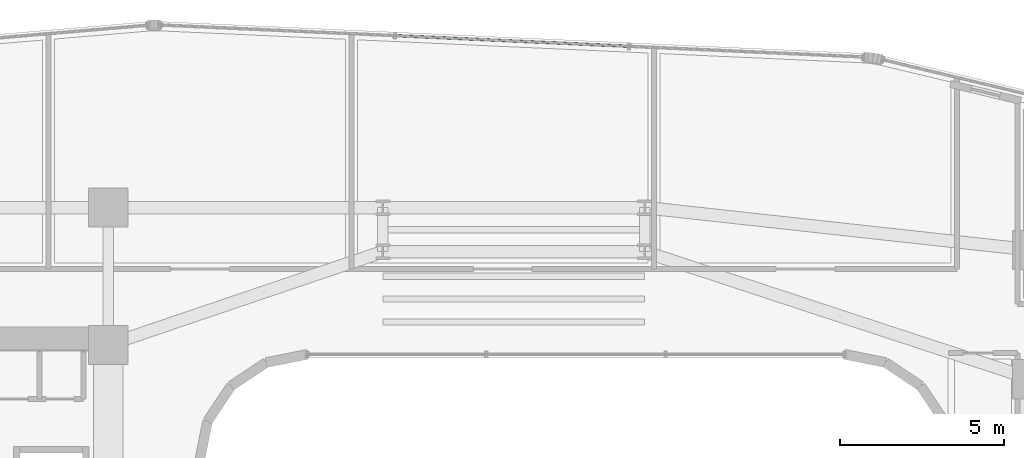
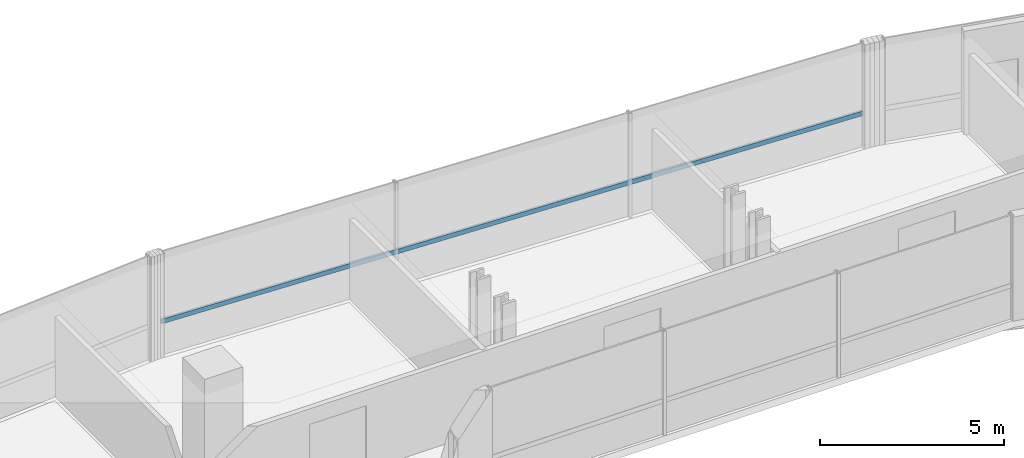
# One storey, part 21 of 35: 1 member, 1 element without a shape of its own.
"""IFC4 building model written with IfcOpenShell, lengths in metres."""

from ifc_helpers import new_model, si_unit, direction, frame, origin, origin_2d, place, context, subcontext, project, spatial, hollow_rectangle, extrude, source, transform, mapped, material, material_profile, profile_set, type_object, element, aggregate, save


model = new_model("IFC4")

# Units and contexts
model_context = context("Model", 3, precision=1e-05, world=origin(), true_north=direction((0.0, 1.0)))
body_context = subcontext(model_context, "Body", "Model", "MODEL_VIEW")
ifc_project = project(units=[si_unit("LENGTHUNIT", "METRE"), si_unit("AREAUNIT", "SQUARE_METRE"), si_unit("VOLUMEUNIT", "CUBIC_METRE"), si_unit("PLANEANGLEUNIT", "RADIAN"), si_unit("MASSUNIT", "GRAM", prefix="KILO")], contexts=[model_context])

# Site, building, storey
site_placement = place(None, origin())
site = spatial("IfcSite", under=ifc_project, at=site_placement, CompositionType="ELEMENT")
building_placement = place(site_placement, origin())
building = spatial("IfcBuilding", under=site, at=building_placement, Name="Valdorenza Pilgrim Sanctuary Tower", CompositionType="ELEMENT")
storey_placement = place(building_placement, frame((0.0, 0.0, 139.0)))
storey = spatial("IfcBuildingStorey", under=building, at=storey_placement, Name="L35", CompositionType="ELEMENT", Elevation=139.0)

# Curtain wall, member
ifc_material_1 = material(Name="Curtain-wall IGU glazing", Category="glass")
curtain_wall_type = type_object("IfcCurtainWallType", Name="CW-SYS-02", PredefinedType="NOTDEFINED", material=ifc_material_1)
curtain_wall_placement = place(storey_placement, origin())
curtain_wall = element("IfcCurtainWall", 1, at=curtain_wall_placement, inside=storey, type_object=curtain_wall_type, Name="L35 Curtain Wall CW-L35-1-11", PredefinedType="NOTDEFINED")
ifc_material_2 = material(Name="Anodised aluminium AW-6060", Category="aluminium")
ifc_material_profile = material_profile(ifc_material_2, hollow_rectangle(XDim=0.074951171875, YDim=0.14990234375, WallThickness=0.00390625, at=origin_2d()), Name="ALU-T 150x75x4")
ifc_profile_set = profile_set([ifc_material_profile], Name="Anodised aluminium AW-6060")
member_type = type_object("IfcMemberType", Name="CW-TRN-02", PredefinedType="USERDEFINED", material=ifc_profile_set)
shared_shape = source(origin(), body_context, "Body", "SweptSolid", [
    extrude(hollow_rectangle(XDim=0.074951171875, YDim=0.14990234375, WallThickness=0.00390625, at=origin_2d()), origin(), (0.0, 0.0, 1.0), 21.5078125),
])
member_placement = place(storey_placement, frame((-10.795654296875, 20.380615234375, 1.1201171875), z_axis=(0.99896865723, -0.045405086403, 0.0), x_axis=(0.045405086403, 0.99896865723, 0.0)))
member = element("IfcMember", 2, at=member_placement, type_object=member_type, Name="CW-L35-1-11 Transom 1", ObjectType="TRANSOM", PredefinedType="USERDEFINED", context=body_context, shape_type="MappedRepresentation", body=[
    mapped(shared_shape, transform((0.0, 0.0, 0.0), x_axis=(1.0, 0.0, 0.0), y_axis=(0.0, 1.0, 0.0), z_axis=(0.0, 0.0, 1.0), scale=1.0)),
])
aggregate(curtain_wall, [member])

save(model, "model.ifc")
